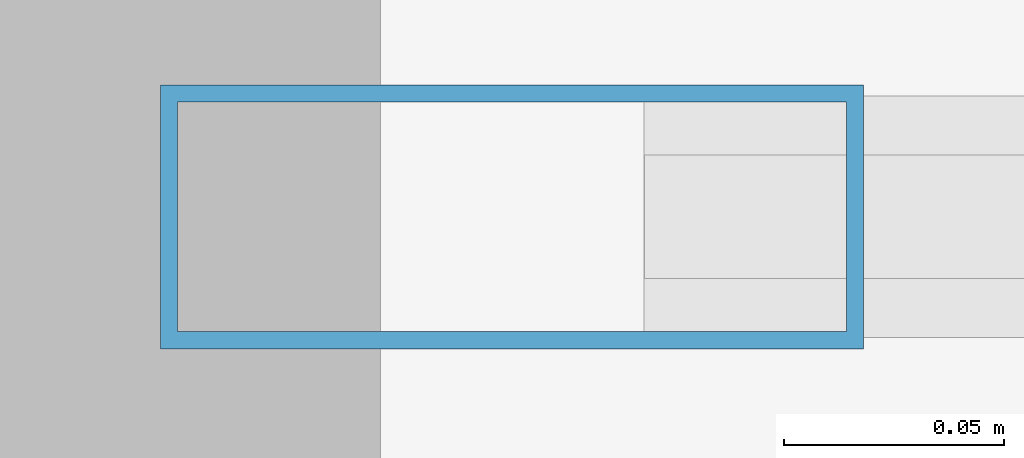
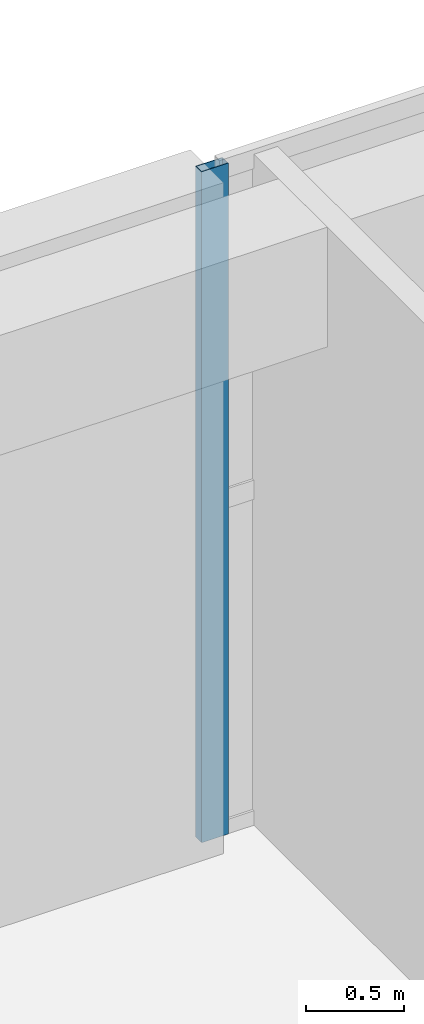
# One storey, part 13 of 26: 1 member, 1 element without a shape of its own.
"""IFC4 building model written with IfcOpenShell, lengths in metres."""

import ifcopenshell
import ifcopenshell.guid

model = None  # the IFC model being written
_history = None  # IfcOwnerHistory: only IFC2X3 demands one
_inside = {}  # id of a spatial element -> (the spatial element, [elements in it])
_under = {}  # id of a project, library or spatial element -> (it, [spatial elements below it])
_declared = {}  # id of a project -> (the project, [libraries it declares])
_typed = {}  # id of a type object -> (the type object, [elements of that type])
_made_of = {}  # id of a material, layer set ... -> (it, [elements and type objects made of it])


def new_model(schema):
    """Start an empty IFC model of exactly this schema.

    Asked for "IFC4X3", IfcOpenShell would pick the latest addendum, in which some entities
    have other attributes; the version numbers below select the first issue.
    IFC2X3 requires an IfcOwnerHistory on every rooted entity: one is made here for all.
    """
    global model, _history
    if schema == "IFC4X3":
        model = ifcopenshell.file(schema_version=(4, 3, 0, 0))
    else:
        model = ifcopenshell.file(schema=schema)
    _inside.clear()
    _under.clear()
    _declared.clear()
    _typed.clear()
    _made_of.clear()
    _history = None
    if model.schema == "IFC2X3":
        org = make("IfcOrganization", Name="unknown")
        user = make(
            "IfcPersonAndOrganization",
            ThePerson=make("IfcPerson", FamilyName="unknown"),
            TheOrganization=org,
        )
        app = make(
            "IfcApplication",
            ApplicationDeveloper=org,
            Version="unknown",
            ApplicationFullName="unknown",
            ApplicationIdentifier="unknown",
        )
        _history = make(
            "IfcOwnerHistory",
            OwningUser=user,
            OwningApplication=app,
            ChangeAction="ADDED",
            CreationDate=0,
        )
    return model


def make(cls, **values):
    """One entity of the class cls with the attributes given. An attribute that is None is left unset."""
    return model.create_entity(
        cls, **{name: value for name, value in values.items() if value is not None}
    )


def rooted(cls, **values):
    """An entity with a GlobalId (a new one), such as an element, a storey or a relation."""
    return make(cls, GlobalId=ifcopenshell.guid.new(), OwnerHistory=_history, **values)


def si_unit(unit_type, name, prefix=None):
    """IfcSIUnit, for example si_unit("LENGTHUNIT", "METRE", prefix="MILLI")."""
    return make("IfcSIUnit", UnitType=unit_type, Prefix=prefix, Name=name)


def assignment(units):
    """IfcUnitAssignment: the units of a project."""
    return None if units is None else make("IfcUnitAssignment", Units=units)


def point(xyz):
    """IfcCartesianPoint."""
    return None if xyz is None else make("IfcCartesianPoint", Coordinates=xyz)


def direction(xyz):
    """IfcDirection."""
    return None if xyz is None else make("IfcDirection", DirectionRatios=xyz)


def frame(location, z_axis=None, x_axis=None):
    """IfcAxis2Placement3D, a coordinate frame: its origin and axes. An axis left out is left unset."""
    return make(
        "IfcAxis2Placement3D",
        Location=point(location),
        Axis=direction(z_axis),
        RefDirection=direction(x_axis),
    )


def frame_2d(location, x_axis=None):
    """IfcAxis2Placement2D, a coordinate frame in the plane: its origin and x axis."""
    return make(
        "IfcAxis2Placement2D", Location=point(location), RefDirection=direction(x_axis)
    )


def origin():
    """The frame at (0, 0, 0) with its axes left unset."""
    return frame((0.0, 0.0, 0.0))


def origin_2d():
    """The frame at (0, 0) in the plane with its x axis left unset."""
    return frame_2d((0.0, 0.0))


def place(relative_to, where):
    """IfcLocalPlacement: puts the frame where relative to a parent placement (None: the world)."""
    return make(
        "IfcLocalPlacement", PlacementRelTo=relative_to, RelativePlacement=where
    )


def context(
    kind, dimensions, precision=None, world=None, true_north=None, identifier=None
):
    """IfcGeometricRepresentationContext, for example the 3D "Model" context."""
    return make(
        "IfcGeometricRepresentationContext",
        ContextIdentifier=identifier,
        ContextType=kind,
        CoordinateSpaceDimension=dimensions,
        Precision=precision,
        WorldCoordinateSystem=world,
        TrueNorth=true_north,
    )


def subcontext(parent, identifier, kind, view, scale=None):
    """IfcGeometricRepresentationSubContext, for example "Body" below "Model"."""
    return make(
        "IfcGeometricRepresentationSubContext",
        ContextIdentifier=identifier,
        ContextType=kind,
        ParentContext=parent,
        TargetScale=scale,
        TargetView=view,
    )


def project(units=None, contexts=None):
    """IfcProject with its units and contexts."""
    return rooted(
        "IfcProject",
        Name="project",
        RepresentationContexts=contexts,
        UnitsInContext=assignment(units),
    )


def spatial(cls, under=None, at=None, **own):
    """A site, building, storey or space (cls), placed at a placement, below another one or the project."""
    s = rooted(cls, ObjectPlacement=at, **own)
    if under is not None:
        _under.setdefault(under.id(), (under, []))[1].append(s)
    return s


def profile(cls, at=None, kind="AREA", **sizes):
    """A parametric profile (cls). Its sizes go by their IFC names, for example OverallWidth=200.0."""
    return make(cls, ProfileType=kind, Position=at, **sizes)


def hollow_rectangle(**sizes):
    """IfcRectangleHollowProfileDef."""
    return profile("IfcRectangleHollowProfileDef", **sizes)


def extrude(swept, where, along, depth):
    """IfcExtrudedAreaSolid: the profile swept, set in the frame where, extruded along a direction by depth."""
    return make(
        "IfcExtrudedAreaSolid",
        SweptArea=swept,
        Position=where,
        ExtrudedDirection=direction(along),
        Depth=depth,
    )


def shape(context_of_items, identifier, shape_type, items):
    """IfcShapeRepresentation: the items that make up one representation, for example the "Body"."""
    return make(
        "IfcShapeRepresentation",
        ContextOfItems=context_of_items,
        RepresentationIdentifier=identifier,
        RepresentationType=shape_type,
        Items=items,
    )


def source(mapping_origin, context_of_items, identifier, shape_type, items):
    """IfcRepresentationMap: a shape defined once, which mapped items show again and again."""
    return make(
        "IfcRepresentationMap",
        MappingOrigin=mapping_origin,
        MappedRepresentation=shape(context_of_items, identifier, shape_type, items),
    )


def transform(
    local_origin,
    x_axis=None,
    y_axis=None,
    z_axis=None,
    scale=None,
    scale2=None,
    scale3=None,
    uniform=True,
):
    """IfcCartesianTransformationOperator3D, or its non-uniform kind. x_axis, y_axis, z_axis: its Axis1, 2, 3."""
    if uniform:
        return make(
            "IfcCartesianTransformationOperator3D",
            Axis1=direction(x_axis),
            Axis2=direction(y_axis),
            LocalOrigin=point(local_origin),
            Scale=scale,
            Axis3=direction(z_axis),
        )
    return make(
        "IfcCartesianTransformationOperator3DnonUniform",
        Axis1=direction(x_axis),
        Axis2=direction(y_axis),
        LocalOrigin=point(local_origin),
        Scale=scale,
        Axis3=direction(z_axis),
        Scale2=scale2,
        Scale3=scale3,
    )


def mapped(mapping_source, mapping_target):
    """IfcMappedItem: shows the shape of a source again, moved by a transform."""
    return make(
        "IfcMappedItem", MappingSource=mapping_source, MappingTarget=mapping_target
    )


def material(Name=None, Category=None):
    """IfcMaterial."""
    return make("IfcMaterial", Name=Name, Category=Category)


def layer(
    of_material, thickness, ventilated=None, Name=None, Category=None, Priority=None
):
    """IfcMaterialLayer: one layer of a wall or slab, of a material (None: an air gap)."""
    return make(
        "IfcMaterialLayer",
        Material=of_material,
        LayerThickness=thickness,
        IsVentilated=ventilated,
        Name=Name,
        Category=Category,
        Priority=Priority,
    )


def layer_set(layers, Name=None):
    """IfcMaterialLayerSet."""
    return make("IfcMaterialLayerSet", MaterialLayers=layers, LayerSetName=Name)


def material_profile(
    of_material, cross_section, Name=None, Category=None, Priority=None
):
    """IfcMaterialProfile: a cross section and its material."""
    return make(
        "IfcMaterialProfile",
        Name=Name,
        Material=of_material,
        Profile=cross_section,
        Priority=Priority,
        Category=Category,
    )


def profile_set(profiles, Name=None, composite=None):
    """IfcMaterialProfileSet."""
    return make(
        "IfcMaterialProfileSet",
        Name=Name,
        MaterialProfiles=profiles,
        CompositeProfile=composite,
    )


def made_of(thing, what):
    """Note that an element or type object is made of a material, layer set ...; save() writes the relation."""
    if what is not None:
        _made_of.setdefault(what.id(), (what, []))[1].append(thing)
    return thing


def type_object(cls, material=None, **own):
    """A type object (cls), such as IfcWallType, which elements share."""
    return made_of(rooted(cls, **own), material)


def element(
    cls,
    number,
    at=None,
    inside=None,
    cuts=None,
    type_object=None,
    material=None,
    context=None,
    identifier="Body",
    shape_type=None,
    held_by="IfcProductDefinitionShape",
    body=None,
    shapes=None,
    **own,
):
    """One element of the class cls, such as IfcWall. Its Tag is "e" and its number.

    at: its placement. inside: the storey or other place that contains it. cuts: it is an
    opening in that element (IfcRelVoidsElement). A single representation is given by context,
    identifier, shape_type and body (its items); several are given by shapes. held_by: the class
    of the entity that holds the representations. save() writes the other relations.
    """
    e = rooted(cls, Tag="e%d" % number, ObjectPlacement=at, **own)
    if body is not None:
        shapes = [shape(context, identifier, shape_type, body)]
    if shapes is not None:
        e.Representation = make(held_by, Representations=shapes)
    if inside is not None:
        _inside.setdefault(inside.id(), (inside, []))[1].append(e)
    if cuts is not None:
        rooted(
            "IfcRelVoidsElement", RelatingBuildingElement=cuts, RelatedOpeningElement=e
        )
    if type_object is not None:
        _typed.setdefault(type_object.id(), (type_object, []))[1].append(e)
    return made_of(e, material)


def aggregate(whole, parts):
    """IfcRelAggregates: a whole, such as a stair, and the parts it consists of."""
    return rooted("IfcRelAggregates", RelatingObject=whole, RelatedObjects=parts)


def save(model, path):
    """Write the relations noted so far, then the file.

    IfcRelAggregates (storeys below a building ...), IfcRelContainedInSpatialStructure (elements
    in a storey), IfcRelDefinesByType, IfcRelAssociatesMaterial and IfcRelDeclares: one each for
    every whole, place, type object, material and project.
    """
    for whole, parts in _under.values():
        aggregate(whole, parts)
    for where, things in _inside.values():
        rooted(
            "IfcRelContainedInSpatialStructure",
            RelatedElements=things,
            RelatingStructure=where,
        )
    for kind, things in _typed.values():
        rooted("IfcRelDefinesByType", RelatedObjects=things, RelatingType=kind)
    for what, things in _made_of.values():
        rooted("IfcRelAssociatesMaterial", RelatedObjects=things, RelatingMaterial=what)
    for by, libraries in _declared.values():
        rooted("IfcRelDeclares", RelatingContext=by, RelatedDefinitions=libraries)
    model.write(path)


model = new_model("IFC4")

# Units and contexts
model_context = context("Model", 3, precision=1e-05, world=origin(), true_north=direction((0.0, 1.0)))
body_context = subcontext(model_context, "Body", "Model", "MODEL_VIEW")
ifc_project = project(units=[si_unit("LENGTHUNIT", "METRE"), si_unit("AREAUNIT", "SQUARE_METRE"), si_unit("VOLUMEUNIT", "CUBIC_METRE"), si_unit("PLANEANGLEUNIT", "RADIAN"), si_unit("MASSUNIT", "GRAM", prefix="KILO")], contexts=[model_context])

# Site, building, storey
site_placement = place(None, origin())
site = spatial("IfcSite", under=ifc_project, at=site_placement, CompositionType="ELEMENT")
building_placement = place(site_placement, origin())
building = spatial("IfcBuilding", under=site, at=building_placement, Name="Khoralis Quay Care Tower", CompositionType="ELEMENT")
storey_placement = place(building_placement, frame((0.0, 0.0, 4.5)))
storey = spatial("IfcBuildingStorey", under=building, at=storey_placement, Name="L01", CompositionType="ELEMENT", Elevation=4.5)

# Curtain wall, member
ifc_material = material(Name="Pale anodised aluminium", Category="aluminium")
ifc_layer = layer(ifc_material, 0.14990234375)
ifc_layer_set = layer_set([ifc_layer], Name="Pale anodised aluminium")
curtain_wall_type = type_object("IfcCurtainWallType", Name="CW-SYS-SCHOOL", PredefinedType="NOTDEFINED", material=ifc_layer_set)
curtain_wall_placement = place(storey_placement, origin())
curtain_wall = element("IfcCurtainWall", 1, at=curtain_wall_placement, inside=storey, type_object=curtain_wall_type, Name="L01 Unitised Curtain Wall CW-SCH-L01-E3", PredefinedType="NOTDEFINED")
ifc_material_profile = material_profile(ifc_material, hollow_rectangle(XDim=0.06005859375, YDim=0.159912109375, WallThickness=0.00390625, at=origin_2d()), Name="Pale anodised aluminium")
ifc_profile_set = profile_set([ifc_material_profile], Name="Pale anodised aluminium")
member_type = type_object("IfcMemberType", Name="CW-MUL-160", PredefinedType="MULLION", material=ifc_profile_set)
shared_shape = source(origin(), body_context, "Body", "SweptSolid", [
    extrude(hollow_rectangle(XDim=0.06005859375, YDim=0.159912109375, WallThickness=0.00390625, at=origin_2d()), origin(), (0.0, 0.0, 1.0), 4.199951171875),
])
member_placement = place(storey_placement, frame((80.097900390625, 41.830078125, 0.0), z_axis=(0.0, 0.0, 1.0), x_axis=(0.0, -1.0, 0.0)))
member = element("IfcMember", 2, at=member_placement, type_object=member_type, Name="CW6 mullion 4", PredefinedType="MULLION", context=body_context, shape_type="MappedRepresentation", body=[
    mapped(shared_shape, transform((0.0, 0.0, 0.0), scale=1.0)),
])
aggregate(curtain_wall, [member])

save(model, "model.ifc")
